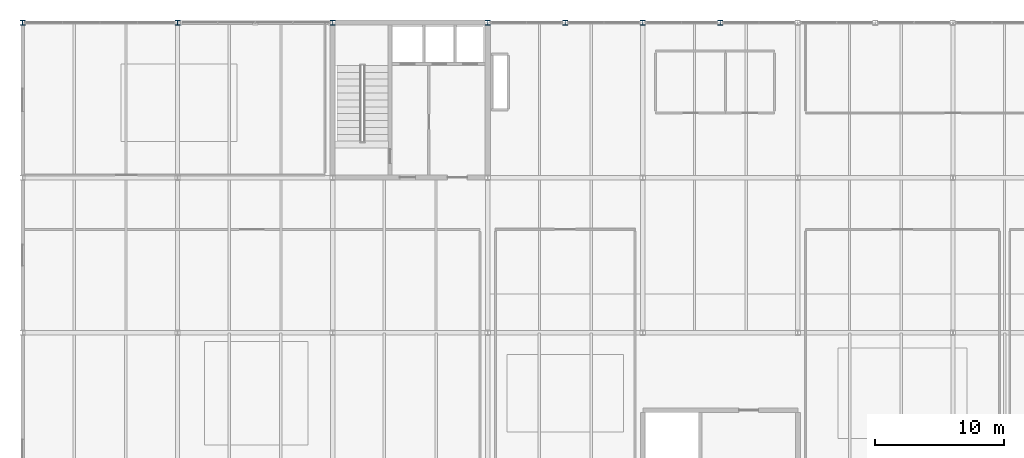
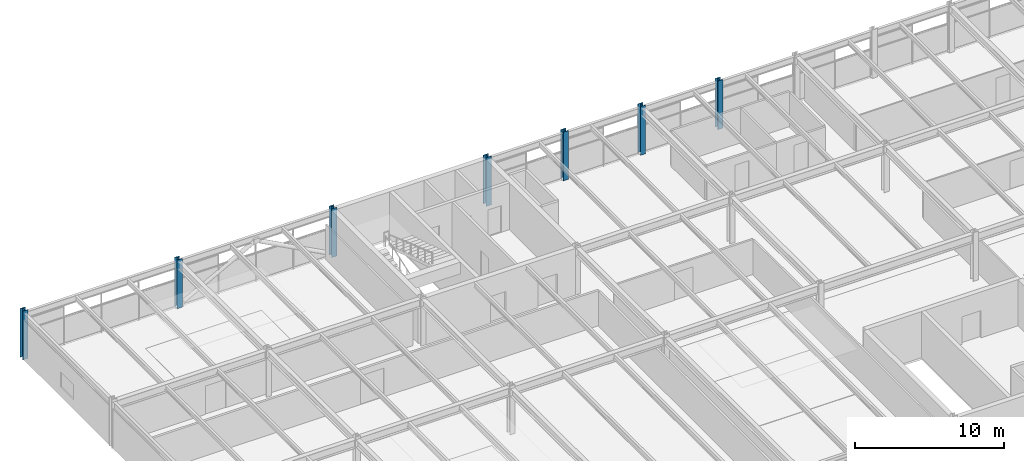
# One storey, part 3 of 52: 7 columns.
"""IFC4 building model written with IfcOpenShell, lengths in metres."""

from ifc_helpers import new_model, si_unit, direction, frame, origin, origin_2d, place, context, subcontext, project, spatial, i_section, extrude, material, material_profile, profile_set, type_object, element, save


model = new_model("IFC4")

# Units and contexts
model_context = context("Model", 3, precision=1e-05, world=origin(), true_north=direction((0.0, 1.0)))
body_context = subcontext(model_context, "Body", "Model", "MODEL_VIEW")
ifc_project = project(units=[si_unit("LENGTHUNIT", "METRE"), si_unit("AREAUNIT", "SQUARE_METRE"), si_unit("VOLUMEUNIT", "CUBIC_METRE"), si_unit("PLANEANGLEUNIT", "RADIAN"), si_unit("MASSUNIT", "GRAM", prefix="KILO")], contexts=[model_context])

# Site, building, storey
site_placement = place(None, origin())
site = spatial("IfcSite", under=ifc_project, at=site_placement, CompositionType="ELEMENT")
building_placement = place(site_placement, origin())
building = spatial("IfcBuilding", under=site, at=building_placement, Name="Girod Span Mobility Hub", CompositionType="ELEMENT")
storey_placement = place(building_placement, frame((0.0, 0.0, 45.60009765625)))
storey = spatial("IfcBuildingStorey", under=building, at=storey_placement, Name="L11", CompositionType="ELEMENT", Elevation=45.60009765625)

# Columns
ifc_material_1 = material(Name="Steel A992 Grade 50", Category="steel")
ifc_material_profile_1 = material_profile(ifc_material_1, i_section(OverallWidth=0.39404296875, OverallDepth=0.375, WebThickness=0.017333984375, FlangeThickness=0.027587890625, FilletRadius=0.01806640625, at=origin_2d()), Name="W14X145")
ifc_profile_set_1 = profile_set([ifc_material_profile_1], Name="Steel A992 Grade 50")
column_type_1 = type_object("IfcColumnType", Name="COL-STL-W14X145", PredefinedType="COLUMN", material=ifc_profile_set_1)
for number, where, z_axis, x_axis, name in (
    (1, (24.0, 69.0, 0.0), (0.0, 0.0, 1.0), (1.0, 0.0, 0.0), "Column 3F L11"),
    (2, (36.0, 69.0, 0.0), (0.0, 0.0, 1.0), (1.0, 0.0, 0.0), "Column 4F L11"),
    (3, (66.0, 69.0, 0.0), (0.0, 0.0, 1.0), (1.0, 0.0, 0.0), "Facade Intermediate Column INT-1 L11"),
    (4, (78.0, 69.0, 0.0), (0.0, 0.0, 1.0), (1.0, 0.0, 0.0), "Facade Intermediate Column INT-2 L11"),
):
    element("IfcColumn", number, at=place(storey_placement, frame(where, z_axis=z_axis, x_axis=x_axis)), inside=storey, type_object=column_type_1, Name=name, PredefinedType="COLUMN", context=body_context, shape_type="SweptSolid", body=[
        extrude(i_section(OverallWidth=0.39404296875, OverallDepth=0.375, WebThickness=0.017333984375, FlangeThickness=0.027587890625, FilletRadius=0.01806640625, at=origin_2d()), origin(), (0.0, 0.0, 1.0), 4.0),
    ])
ifc_material_2 = material(Name="Steel A992 Grade 50", Category="steel")
ifc_material_profile_2 = material_profile(ifc_material_2, i_section(OverallWidth=0.39892578125, OverallDepth=0.39306640625, WebThickness=0.022705078125, FlangeThickness=0.03662109375, FilletRadius=0.01806640625, at=origin_2d()), Name="W14X193")
ifc_profile_set_2 = profile_set([ifc_material_profile_2], Name="Steel A992 Grade 50")
column_type_2 = type_object("IfcColumnType", Name="COL-STL-W14X193", PredefinedType="COLUMN", material=ifc_profile_set_2)
for number, where, z_axis, x_axis, name in (
    (5, (48.0, 69.0, 0.0), (0.0, 0.0, 1.0), (1.0, 0.0, 0.0), "Column 5F L11"),
    (6, (60.0, 69.0, 0.0), (0.0, 0.0, 1.0), (1.0, 0.0, 0.0), "Column 6F L11"),
    (7, (72.0, 69.0, 0.0), (0.0, 0.0, 1.0), (1.0, 0.0, 0.0), "Column 7F L11"),
):
    element("IfcColumn", number, at=place(storey_placement, frame(where, z_axis=z_axis, x_axis=x_axis)), inside=storey, type_object=column_type_2, Name=name, PredefinedType="COLUMN", context=body_context, shape_type="SweptSolid", body=[
        extrude(i_section(OverallWidth=0.39892578125, OverallDepth=0.39306640625, WebThickness=0.022705078125, FlangeThickness=0.03662109375, FilletRadius=0.01806640625, at=origin_2d()), origin(), (0.0, 0.0, 1.0), 4.0),
    ])

save(model, "model.ifc")
